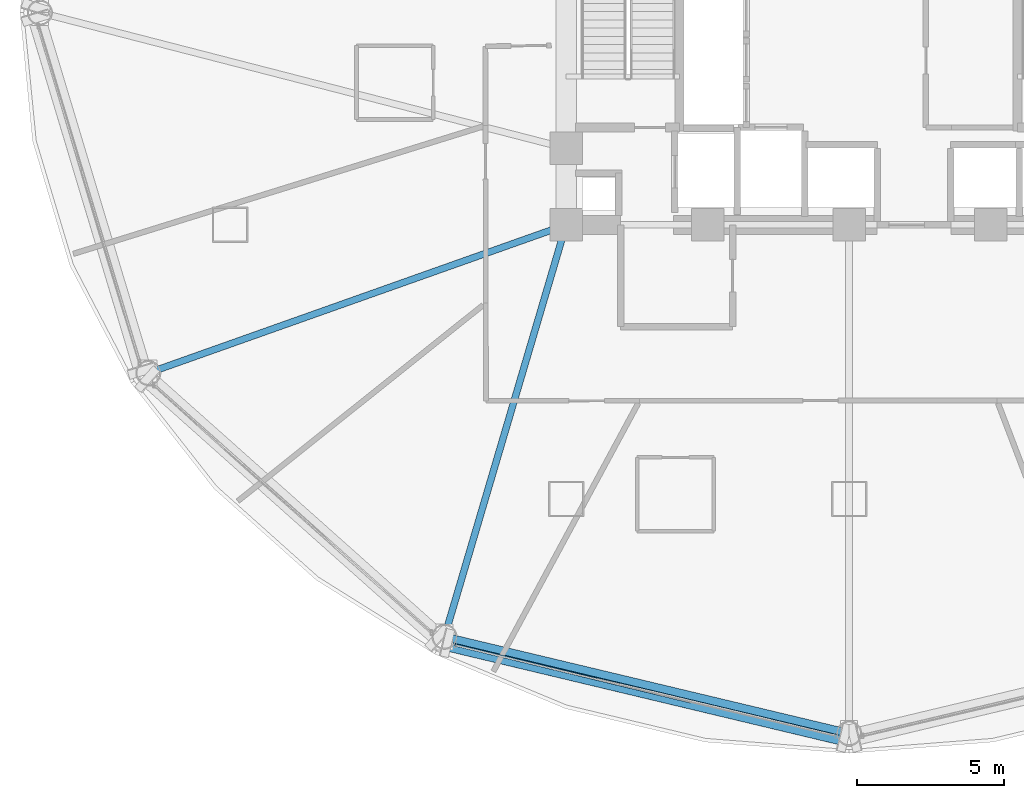
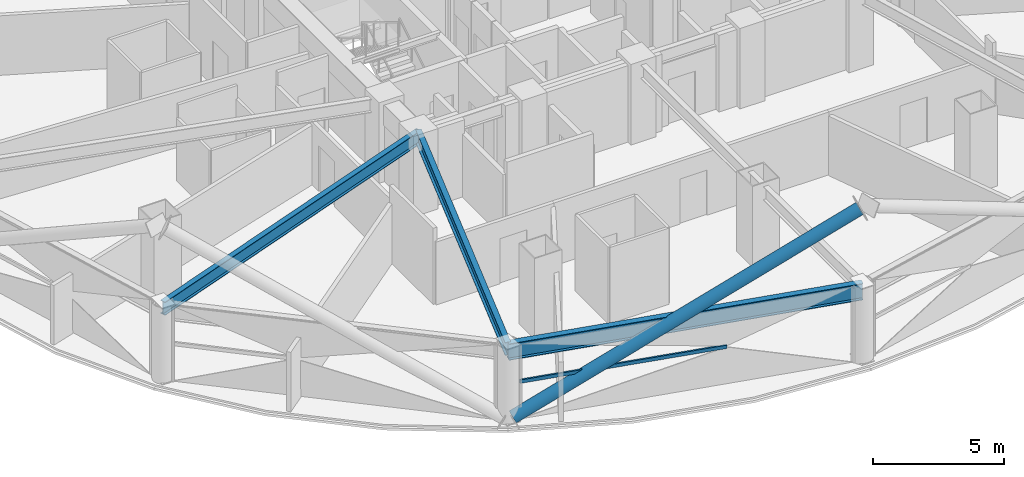
# One storey, part 3 of 30: 3 beams, 2 members, 1 element without a shape of its own.
"""IFC4 building model written with IfcOpenShell, lengths in metres."""

import ifcopenshell
import ifcopenshell.guid

model = None  # the IFC model being written
_history = None  # IfcOwnerHistory: only IFC2X3 demands one
_inside = {}  # id of a spatial element -> (the spatial element, [elements in it])
_under = {}  # id of a project, library or spatial element -> (it, [spatial elements below it])
_declared = {}  # id of a project -> (the project, [libraries it declares])
_typed = {}  # id of a type object -> (the type object, [elements of that type])
_made_of = {}  # id of a material, layer set ... -> (it, [elements and type objects made of it])


def new_model(schema):
    """Start an empty IFC model of exactly this schema.

    Asked for "IFC4X3", IfcOpenShell would pick the latest addendum, in which some entities
    have other attributes; the version numbers below select the first issue.
    IFC2X3 requires an IfcOwnerHistory on every rooted entity: one is made here for all.
    """
    global model, _history
    if schema == "IFC4X3":
        model = ifcopenshell.file(schema_version=(4, 3, 0, 0))
    else:
        model = ifcopenshell.file(schema=schema)
    _inside.clear()
    _under.clear()
    _declared.clear()
    _typed.clear()
    _made_of.clear()
    _history = None
    if model.schema == "IFC2X3":
        org = make("IfcOrganization", Name="unknown")
        user = make(
            "IfcPersonAndOrganization",
            ThePerson=make("IfcPerson", FamilyName="unknown"),
            TheOrganization=org,
        )
        app = make(
            "IfcApplication",
            ApplicationDeveloper=org,
            Version="unknown",
            ApplicationFullName="unknown",
            ApplicationIdentifier="unknown",
        )
        _history = make(
            "IfcOwnerHistory",
            OwningUser=user,
            OwningApplication=app,
            ChangeAction="ADDED",
            CreationDate=0,
        )
    return model


def make(cls, **values):
    """One entity of the class cls with the attributes given. An attribute that is None is left unset."""
    return model.create_entity(
        cls, **{name: value for name, value in values.items() if value is not None}
    )


def rooted(cls, **values):
    """An entity with a GlobalId (a new one), such as an element, a storey or a relation."""
    return make(cls, GlobalId=ifcopenshell.guid.new(), OwnerHistory=_history, **values)


def si_unit(unit_type, name, prefix=None):
    """IfcSIUnit, for example si_unit("LENGTHUNIT", "METRE", prefix="MILLI")."""
    return make("IfcSIUnit", UnitType=unit_type, Prefix=prefix, Name=name)


def assignment(units):
    """IfcUnitAssignment: the units of a project."""
    return None if units is None else make("IfcUnitAssignment", Units=units)


def point(xyz):
    """IfcCartesianPoint."""
    return None if xyz is None else make("IfcCartesianPoint", Coordinates=xyz)


def direction(xyz):
    """IfcDirection."""
    return None if xyz is None else make("IfcDirection", DirectionRatios=xyz)


def frame(location, z_axis=None, x_axis=None):
    """IfcAxis2Placement3D, a coordinate frame: its origin and axes. An axis left out is left unset."""
    return make(
        "IfcAxis2Placement3D",
        Location=point(location),
        Axis=direction(z_axis),
        RefDirection=direction(x_axis),
    )


def frame_2d(location, x_axis=None):
    """IfcAxis2Placement2D, a coordinate frame in the plane: its origin and x axis."""
    return make(
        "IfcAxis2Placement2D", Location=point(location), RefDirection=direction(x_axis)
    )


def origin():
    """The frame at (0, 0, 0) with its axes left unset."""
    return frame((0.0, 0.0, 0.0))


def origin_2d():
    """The frame at (0, 0) in the plane with its x axis left unset."""
    return frame_2d((0.0, 0.0))


def place(relative_to, where):
    """IfcLocalPlacement: puts the frame where relative to a parent placement (None: the world)."""
    return make(
        "IfcLocalPlacement", PlacementRelTo=relative_to, RelativePlacement=where
    )


def context(
    kind, dimensions, precision=None, world=None, true_north=None, identifier=None
):
    """IfcGeometricRepresentationContext, for example the 3D "Model" context."""
    return make(
        "IfcGeometricRepresentationContext",
        ContextIdentifier=identifier,
        ContextType=kind,
        CoordinateSpaceDimension=dimensions,
        Precision=precision,
        WorldCoordinateSystem=world,
        TrueNorth=true_north,
    )


def subcontext(parent, identifier, kind, view, scale=None):
    """IfcGeometricRepresentationSubContext, for example "Body" below "Model"."""
    return make(
        "IfcGeometricRepresentationSubContext",
        ContextIdentifier=identifier,
        ContextType=kind,
        ParentContext=parent,
        TargetScale=scale,
        TargetView=view,
    )


def project(units=None, contexts=None):
    """IfcProject with its units and contexts."""
    return rooted(
        "IfcProject",
        Name="project",
        RepresentationContexts=contexts,
        UnitsInContext=assignment(units),
    )


def spatial(cls, under=None, at=None, **own):
    """A site, building, storey or space (cls), placed at a placement, below another one or the project."""
    s = rooted(cls, ObjectPlacement=at, **own)
    if under is not None:
        _under.setdefault(under.id(), (under, []))[1].append(s)
    return s


def profile(cls, at=None, kind="AREA", **sizes):
    """A parametric profile (cls). Its sizes go by their IFC names, for example OverallWidth=200.0."""
    return make(cls, ProfileType=kind, Position=at, **sizes)


def hollow_rectangle(**sizes):
    """IfcRectangleHollowProfileDef."""
    return profile("IfcRectangleHollowProfileDef", **sizes)


def hollow_circle(**sizes):
    """IfcCircleHollowProfileDef."""
    return profile("IfcCircleHollowProfileDef", **sizes)


def i_section(**sizes):
    """IfcIShapeProfileDef."""
    return profile("IfcIShapeProfileDef", **sizes)


def extrude(swept, where, along, depth):
    """IfcExtrudedAreaSolid: the profile swept, set in the frame where, extruded along a direction by depth."""
    return make(
        "IfcExtrudedAreaSolid",
        SweptArea=swept,
        Position=where,
        ExtrudedDirection=direction(along),
        Depth=depth,
    )


def shape(context_of_items, identifier, shape_type, items):
    """IfcShapeRepresentation: the items that make up one representation, for example the "Body"."""
    return make(
        "IfcShapeRepresentation",
        ContextOfItems=context_of_items,
        RepresentationIdentifier=identifier,
        RepresentationType=shape_type,
        Items=items,
    )


def material(Name=None, Category=None):
    """IfcMaterial."""
    return make("IfcMaterial", Name=Name, Category=Category)


def layer(
    of_material, thickness, ventilated=None, Name=None, Category=None, Priority=None
):
    """IfcMaterialLayer: one layer of a wall or slab, of a material (None: an air gap)."""
    return make(
        "IfcMaterialLayer",
        Material=of_material,
        LayerThickness=thickness,
        IsVentilated=ventilated,
        Name=Name,
        Category=Category,
        Priority=Priority,
    )


def layer_set(layers, Name=None):
    """IfcMaterialLayerSet."""
    return make("IfcMaterialLayerSet", MaterialLayers=layers, LayerSetName=Name)


def material_profile(
    of_material, cross_section, Name=None, Category=None, Priority=None
):
    """IfcMaterialProfile: a cross section and its material."""
    return make(
        "IfcMaterialProfile",
        Name=Name,
        Material=of_material,
        Profile=cross_section,
        Priority=Priority,
        Category=Category,
    )


def profile_set(profiles, Name=None, composite=None):
    """IfcMaterialProfileSet."""
    return make(
        "IfcMaterialProfileSet",
        Name=Name,
        MaterialProfiles=profiles,
        CompositeProfile=composite,
    )


def made_of(thing, what):
    """Note that an element or type object is made of a material, layer set ...; save() writes the relation."""
    if what is not None:
        _made_of.setdefault(what.id(), (what, []))[1].append(thing)
    return thing


def type_object(cls, material=None, **own):
    """A type object (cls), such as IfcWallType, which elements share."""
    return made_of(rooted(cls, **own), material)


def element(
    cls,
    number,
    at=None,
    inside=None,
    cuts=None,
    type_object=None,
    material=None,
    context=None,
    identifier="Body",
    shape_type=None,
    held_by="IfcProductDefinitionShape",
    body=None,
    shapes=None,
    **own,
):
    """One element of the class cls, such as IfcWall. Its Tag is "e" and its number.

    at: its placement. inside: the storey or other place that contains it. cuts: it is an
    opening in that element (IfcRelVoidsElement). A single representation is given by context,
    identifier, shape_type and body (its items); several are given by shapes. held_by: the class
    of the entity that holds the representations. save() writes the other relations.
    """
    e = rooted(cls, Tag="e%d" % number, ObjectPlacement=at, **own)
    if body is not None:
        shapes = [shape(context, identifier, shape_type, body)]
    if shapes is not None:
        e.Representation = make(held_by, Representations=shapes)
    if inside is not None:
        _inside.setdefault(inside.id(), (inside, []))[1].append(e)
    if cuts is not None:
        rooted(
            "IfcRelVoidsElement", RelatingBuildingElement=cuts, RelatedOpeningElement=e
        )
    if type_object is not None:
        _typed.setdefault(type_object.id(), (type_object, []))[1].append(e)
    return made_of(e, material)


def aggregate(whole, parts):
    """IfcRelAggregates: a whole, such as a stair, and the parts it consists of."""
    return rooted("IfcRelAggregates", RelatingObject=whole, RelatedObjects=parts)


def save(model, path):
    """Write the relations noted so far, then the file.

    IfcRelAggregates (storeys below a building ...), IfcRelContainedInSpatialStructure (elements
    in a storey), IfcRelDefinesByType, IfcRelAssociatesMaterial and IfcRelDeclares: one each for
    every whole, place, type object, material and project.
    """
    for whole, parts in _under.values():
        aggregate(whole, parts)
    for where, things in _inside.values():
        rooted(
            "IfcRelContainedInSpatialStructure",
            RelatedElements=things,
            RelatingStructure=where,
        )
    for kind, things in _typed.values():
        rooted("IfcRelDefinesByType", RelatedObjects=things, RelatingType=kind)
    for what, things in _made_of.values():
        rooted("IfcRelAssociatesMaterial", RelatedObjects=things, RelatingMaterial=what)
    for by, libraries in _declared.values():
        rooted("IfcRelDeclares", RelatingContext=by, RelatedDefinitions=libraries)
    model.write(path)


model = new_model("IFC4")

# Units and contexts
model_context = context("Model", 3, precision=1e-05, world=origin(), true_north=direction((0.0, 1.0)))
body_context = subcontext(model_context, "Body", "Model", "MODEL_VIEW")
ifc_project = project(units=[si_unit("LENGTHUNIT", "METRE"), si_unit("AREAUNIT", "SQUARE_METRE"), si_unit("VOLUMEUNIT", "CUBIC_METRE"), si_unit("PLANEANGLEUNIT", "RADIAN"), si_unit("MASSUNIT", "GRAM", prefix="KILO")], contexts=[model_context])

# Site, building, storey
site_placement = place(None, origin())
site = spatial("IfcSite", under=ifc_project, at=site_placement, CompositionType="ELEMENT")
building_placement = place(site_placement, origin())
building = spatial("IfcBuilding", under=site, at=building_placement, Name="Vantalir Tower", CompositionType="ELEMENT")
storey_placement = place(building_placement, frame((0.0, 0.0, 57.0)))
storey = spatial("IfcBuildingStorey", under=building, at=storey_placement, Name="L13", CompositionType="ELEMENT", Elevation=57.0)

# Beams
ifc_material_1 = material(Name="Steel S355", Category="steel")
ifc_material_profile_1 = material_profile(ifc_material_1, i_section(OverallWidth=0.22998046875, OverallDepth=0.616943359375, WebThickness=0.01318359375, FlangeThickness=0.022216796875, at=origin_2d()), Name="Steel S355")
ifc_profile_set_1 = profile_set([ifc_material_profile_1], Name="Steel S355")
beam_type_1 = type_object("IfcBeamType", Name="BM-RB-610x229", PredefinedType="BEAM", material=ifc_profile_set_1)
beam_1_placement = place(storey_placement, frame((7.72705078125, 12.77392578125, 3.261962890625), z_axis=(0.942489624412, 0.334235407872, 0.0), x_axis=(-0.334235407872, 0.942489624412, 0.0)))
element("IfcBeam", 1, at=beam_1_placement, inside=storey, type_object=beam_type_1, Name="L13 Radial Floor Beam 08", PredefinedType="BEAM", context=body_context, shape_type="SweptSolid", body=[
    extrude(i_section(OverallWidth=0.22998046875, OverallDepth=0.616943359375, WebThickness=0.01318359375, FlangeThickness=0.022216796875, at=origin_2d()), origin(), (0.0, 0.0, 1.0), 15.03759765625),
])
beam_2_placement = place(storey_placement, frame((17.77392578125, 3.824951171875, 3.261962890625), z_axis=(0.28315491657, 0.959074185463, 0.0), x_axis=(-0.959074185463, 0.28315491657, 0.0)))
element("IfcBeam", 2, at=beam_2_placement, inside=storey, type_object=beam_type_1, Name="L13 Radial Floor Beam 09", PredefinedType="BEAM", context=body_context, shape_type="SweptSolid", body=[
    extrude(i_section(OverallWidth=0.22998046875, OverallDepth=0.616943359375, WebThickness=0.01318359375, FlangeThickness=0.022216796875, at=origin_2d()), origin(), (0.0, 0.0, 1.0), 14.571533203125),
])
ifc_material_2 = material(Name="Steel S460", Category="steel")
ifc_material_profile_2 = material_profile(ifc_material_2, i_section(OverallWidth=0.26806640625, OverallDepth=0.77001953125, WebThickness=0.015625, FlangeThickness=0.025390625, at=origin_2d()), Name="Steel S460")
ifc_profile_set_2 = profile_set([ifc_material_profile_2], Name="Steel S460")
beam_type_2 = type_object("IfcBeamType", Name="BM-RG-762x267", PredefinedType="USERDEFINED", material=ifc_profile_set_2)
beam_3_placement = place(storey_placement, frame((17.77392578125, 3.824951171875, 3.18505859375), z_axis=(0.97268207428, -0.232141298294, 0.0), x_axis=(0.232141298294, 0.97268207428, 0.0)))
element("IfcBeam", 3, at=beam_3_placement, inside=storey, type_object=beam_type_2, Name="L13 Circumferential Ring Girder 09", ObjectType="GIRDER", PredefinedType="USERDEFINED", context=body_context, shape_type="SweptSolid", body=[
    extrude(i_section(OverallWidth=0.26806640625, OverallDepth=0.77001953125, WebThickness=0.015625, FlangeThickness=0.025390625, at=origin_2d()), origin(), (0.0, 0.0, 1.0), 14.111572265625),
])

# Curtain wall, member
ifc_material_3 = material(Name="Champagne-silver PVDF aluminium and double-silver Low-E glass", Category="aluminium")
ifc_layer = layer(ifc_material_3, 0.18994140625)
ifc_layer_set = layer_set([ifc_layer], Name="Champagne-silver PVDF aluminium and double-silver Low-E glass")
curtain_wall_type = type_object("IfcCurtainWallType", Name="CW-DIAMOND-Z1", PredefinedType="USERDEFINED", material=ifc_layer_set)
curtain_wall_placement = place(storey_placement, origin())
curtain_wall = element("IfcCurtainWall", 4, at=curtain_wall_placement, inside=storey, type_object=curtain_wall_type, Name="L13 Quilted Pyramid-Diamond Curtain Wall S09", ObjectType="UNITISED CURTAIN WALL", PredefinedType="USERDEFINED")
ifc_material_4 = material(Name="Champagne-silver PVDF aluminium 6063-T6", Category="aluminium")
ifc_material_profile_3 = material_profile(ifc_material_4, hollow_rectangle(XDim=0.074951171875, YDim=0.159912109375, WallThickness=0.00390625, at=origin_2d()), Name="Champagne-silver PVDF aluminium 6063-T6")
ifc_profile_set_3 = profile_set([ifc_material_profile_3], Name="Champagne-silver PVDF aluminium 6063-T6")
member_type_1 = type_object("IfcMemberType", Name="CWT-160x75", PredefinedType="USERDEFINED", material=ifc_profile_set_3)
member_1_placement = place(storey_placement, frame((18.135986328125, 3.551025390625, 1.784912109375), z_axis=(0.971950897793, -0.23518386909, 0.0), x_axis=(0.23518386909, 0.971950897793, 0.0)))
member_1 = element("IfcMember", 5, at=member_1_placement, type_object=member_type_1, Name="CW-L13-S09 Pyramid Fold Ridge Transom", ObjectType="TRANSOM", PredefinedType="USERDEFINED", context=body_context, shape_type="SweptSolid", body=[
    extrude(hollow_rectangle(XDim=0.074951171875, YDim=0.159912109375, WallThickness=0.00390625, at=origin_2d()), origin(), (0.0, 0.0, 1.0), 8.227783203125),
])
aggregate(curtain_wall, [member_1])

# Member
ifc_material_profile_4 = material_profile(ifc_material_2, hollow_circle(Radius=0.27001953125, WallThickness=0.044921875, at=origin_2d()), Name="Steel S460")
ifc_profile_set_4 = profile_set([ifc_material_profile_4], Name="Steel S460")
member_type_2 = type_object("IfcMemberType", Name="MEM-DB-540x45", PredefinedType="BRACE", material=ifc_profile_set_4)
member_2_placement = place(storey_placement, frame((17.8701171875, 3.614013671875, 0.178955078125), z_axis=(0.868613187962, -0.207409289368, 0.449991684793), x_axis=(0.232252725931, 0.972655474101, 0.0)))
element("IfcMember", 6, at=member_2_placement, inside=storey, type_object=member_type_2, Name="L13 Perimeter S460 Diagrid Brace R25L", PredefinedType="BRACE", context=body_context, shape_type="SweptSolid", body=[
    extrude(hollow_circle(Radius=0.27001953125, WallThickness=0.044921875, at=origin_2d()), origin(), (0.0, 0.0, 1.0), 15.4716796875),
])

save(model, "model.ifc")
